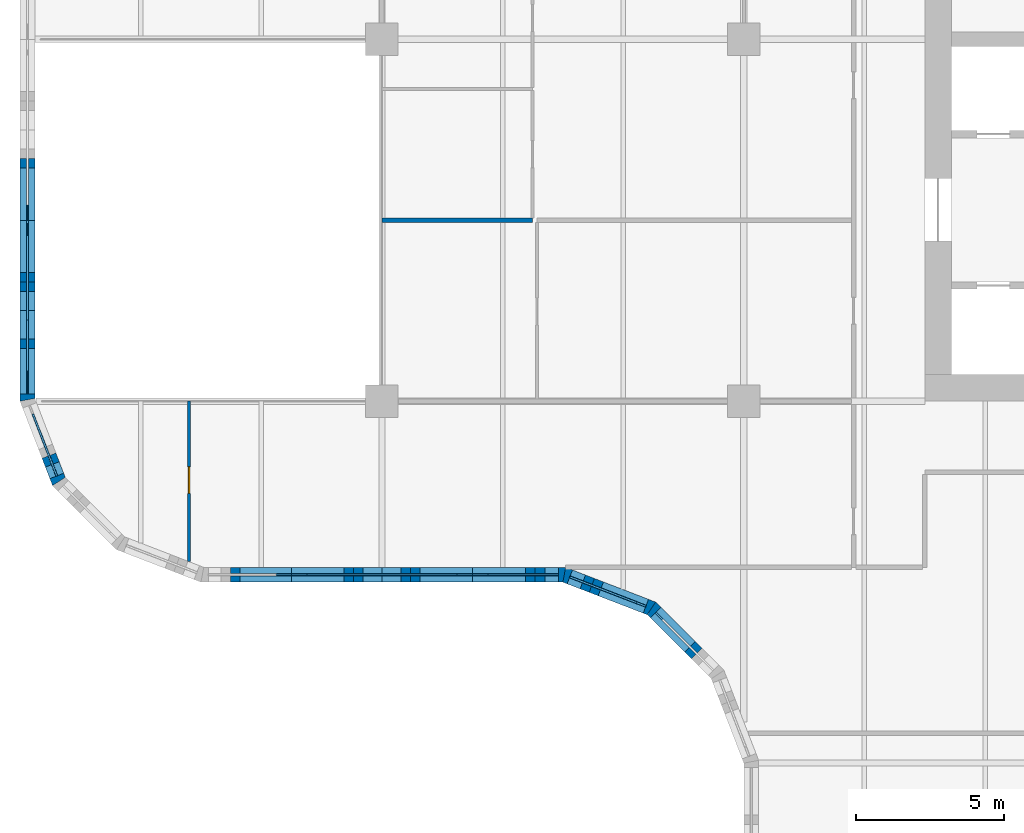
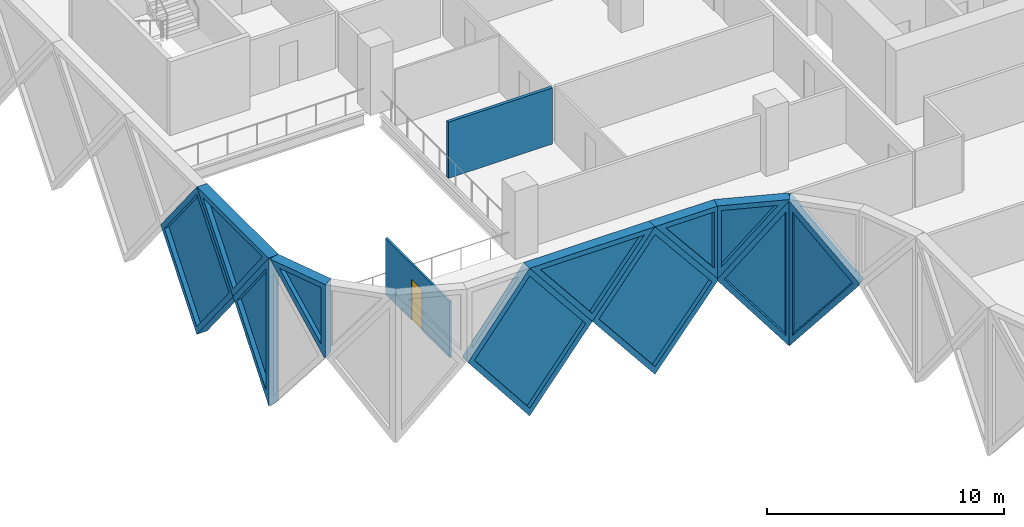
# One storey, part 5 of 24: 13 walls, 11 plates, 1 door, 12 openings.
"""IFC4 building model written with IfcOpenShell, lengths in metres."""

from ifc_helpers import new_model, si_unit, direction, frame, frame_2d, origin, place, context, subcontext, project, spatial, polyline, rectangle, outline, extrude, faceted_brep, source, transform, mapped, material, layer, layer_set, type_object, element, fill, save


model = new_model("IFC4")

# Units and contexts
model_context = context("Model", 3, precision=1e-05, world=origin(), true_north=direction((0.0, 1.0)))
body_context = subcontext(model_context, "Body", "Model", "MODEL_VIEW")
ifc_project = project(units=[si_unit("LENGTHUNIT", "METRE"), si_unit("AREAUNIT", "SQUARE_METRE"), si_unit("VOLUMEUNIT", "CUBIC_METRE"), si_unit("PLANEANGLEUNIT", "RADIAN"), si_unit("MASSUNIT", "GRAM", prefix="KILO")], contexts=[model_context])

# Site, building, storey
site_placement = place(None, origin())
site = spatial("IfcSite", under=ifc_project, at=site_placement, CompositionType="ELEMENT")
building_placement = place(site_placement, origin())
building = spatial("IfcBuilding", under=site, at=building_placement, Name="Tessera Gate Towers", CompositionType="ELEMENT")
storey_placement = place(building_placement, frame((0.0, 0.0, 60.0)))
storey = spatial("IfcBuildingStorey", under=building, at=storey_placement, Name="L14", CompositionType="ELEMENT", Elevation=60.0)

# Wall, opening, door
ifc_material_1 = material(Name="Glass", Category="glass")
ifc_layer_1 = layer(ifc_material_1, 0.10009765625)
ifc_layer_set_1 = layer_set([ifc_layer_1], Name="GLAZED PARTITION 100")
wall_type_1 = type_object("IfcWallType", Name="GLAZED PARTITION 100", PredefinedType="PARTITIONING", material=ifc_layer_set_1)
wall_1_placement = place(storey_placement, frame((5.699951171875, 18.990234375, 0.0), z_axis=(0.0, 0.0, 1.0), x_axis=(0.0, 1.0, 0.0)))
wall_1 = element("IfcWall", 1, at=wall_1_placement, inside=storey, type_object=wall_type_1, Name="T1-L14-PW-016", PredefinedType="PARTITIONING", context=body_context, shape_type="SweptSolid", body=[
    extrude(rectangle(XDim=5.40966796875, YDim=0.10009765625, at=frame_2d((2.704833984375, 0.0))), origin(), (0.0, 0.0, 1.0), 2.887939453125),
])
shared_shape_1 = source(origin(), body_context, "Body", "SweptSolid", [
    extrude(rectangle(XDim=0.89990234375, YDim=2.10009765625, at=frame_2d((0.449951171875, 1.050048828125))), frame((0.0, 0.06005859375, 0.0), z_axis=(0.0, -1.0, 0.0), x_axis=(1.0, 0.0, 0.0)), (0.0, 0.0, 1.0), 0.1201171875),
])
opening_1_placement = place(wall_1_placement, frame((2.300048828125, 0.0, 0.0)))
opening_1 = element("IfcOpeningElement", 2, at=opening_1_placement, cuts=wall_1, Name="Opening D690-A05-01", PredefinedType="OPENING", context=body_context, shape_type="MappedRepresentation", body=[
    mapped(shared_shape_1, transform((0.0, 0.0, 0.0), scale=1.0)),
])
ifc_material_2 = material(Name="Glass in aluminium frame", Category="aluminium")
door_type = type_object("IfcDoorType", Name="GLAZED DOOR 900 NOT RATED", OperationType="NOTDEFINED", PredefinedType="DOOR", material=ifc_material_2)
shared_shape_2 = source(origin(), body_context, "Body", "SweptSolid", [
    extrude(rectangle(XDim=0.89990234375, YDim=2.10009765625, at=frame_2d((0.449951171875, 1.050048828125))), frame((0.0, 0.02490234375, 0.0), z_axis=(0.0, -1.0, 0.0), x_axis=(1.0, 0.0, 0.0)), (0.0, 0.0, 1.0), 0.050048828125),
])
door_placement = place(opening_1_placement, origin())
door = element("IfcDoor", 3, at=door_placement, inside=storey, type_object=door_type, Name="T1-L14-PD-008", OperationType="SINGLE_SWING_LEFT", OverallHeight=2.10009765625, OverallWidth=0.89990234375, PredefinedType="DOOR", context=body_context, shape_type="MappedRepresentation", body=[
    mapped(shared_shape_2, transform((0.0, 0.0, 0.0), scale=1.0)),
])
fill(opening_1, door)

# Wall
ifc_material_3 = material(Name="Gypsum board on steel studs, mineral wool", Category="steel")
ifc_layer_2 = layer(ifc_material_3, 0.14990234375)
ifc_layer_set_2 = layer_set([ifc_layer_2], Name="TENANCY WALL 150")
wall_type_2 = type_object("IfcWallType", Name="TENANCY WALL 150", PredefinedType="PARTITIONING", material=ifc_layer_set_2)
wall_2_placement = place(storey_placement, frame((12.199951171875, 30.5, 0.0), z_axis=(0.0, 0.0, 1.0), x_axis=(1.0, 0.0, 0.0)))
element("IfcWall", 4, at=wall_2_placement, inside=storey, type_object=wall_type_2, Name="T1-L14-PW-024", PredefinedType="PARTITIONING", context=body_context, shape_type="SweptSolid", body=[
    extrude(rectangle(XDim=5.074951171875, YDim=0.14990234375, at=frame_2d((2.53759765625, 0.0))), origin(), (0.0, 0.0, 1.0), 2.887939453125),
])

# Wall, opening, plate
ifc_material_4 = material(Name="Precast concrete C60/75 white", Category="concrete")
ifc_layer_3 = layer(ifc_material_4, 0.5)
ifc_layer_set_3 = layer_set([ifc_layer_3], Name="TS1 tessera")
wall_type_3 = type_object("IfcWallType", Name="TS1 tessera", PredefinedType="SOLIDWALL", material=ifc_layer_set_3)
shared_shape_3 = source(origin(), body_context, "Body", "Brep", [
    faceted_brep([(3.00341796875, -0.25, 0.0), (6.053466796875, -0.25, 3.800048828125), (3.00341796875, -0.25, 7.60009765625), (0.0, -0.25, 3.800048828125), (0.046630859375, 0.25, 3.85888671875), (3.00341796875, 0.25, 7.60009765625), (6.053466796875, 0.25, 3.800048828125), (3.00341796875, 0.25, 0.0), (0.046630859375, 0.25, 3.7412109375), (0.0, 0.0, 3.800048828125)], [[[0, 1, 2, 3]], [[4, 5, 6, 7, 8]], [[7, 6, 1, 0]], [[6, 5, 2, 1]], [[5, 4, 9, 3, 2]], [[8, 7, 0, 3, 9]], [[8, 9, 4]]]),
])
wall_3_placement = place(storey_placement, frame((6.146484375, 18.550048828125, -3.800048828125), z_axis=(0.0, 0.0, 1.0), x_axis=(1.0, 0.0, 0.0)))
wall_3 = element("IfcWall", 5, at=wall_3_placement, inside=storey, type_object=wall_type_3, Name="Precast tessera T1 TS1-0228", PredefinedType="SOLIDWALL", context=body_context, shape_type="MappedRepresentation", body=[
    mapped(shared_shape_3, transform((0.0, 0.0, 0.0), scale=1.0)),
])
shared_shape_4 = source(origin(), body_context, "Body", "SweptSolid", [
    extrude(outline(polyline([(3.0048828125, 0.4013671875), (5.73291015625, 3.800048828125), (3.0048828125, 7.19873046875), (0.318603515625, 3.800048828125), (3.0048828125, 0.4013671875)])), frame((0.0, 0.260009765625, 0.0), z_axis=(0.0, -1.0, 0.0), x_axis=(1.0, 0.0, 0.0)), (0.0, 0.0, 1.0), 0.52001953125),
])
opening_2_placement = place(wall_3_placement, origin())
opening_2 = element("IfcOpeningElement", 6, at=opening_2_placement, cuts=wall_3, Name="Opening T1-PL2-0460", PredefinedType="OPENING", context=body_context, shape_type="MappedRepresentation", body=[
    mapped(shared_shape_4, transform((0.0, 0.0, 0.0), scale=1.0)),
])
ifc_material_5 = material(Name="Low-e laminated glass", Category="glass")
ifc_layer_4 = layer(ifc_material_5, 0.06005859375)
ifc_layer_set_4 = layer_set([ifc_layer_4], Name="PL2 rhombic pane")
plate_type_1 = type_object("IfcPlateType", Name="PL2 rhombic pane", PredefinedType="SHEET", material=ifc_layer_set_4)
shared_shape_5 = source(origin(), body_context, "Body", "SweptSolid", [
    extrude(outline(polyline([(3.0048828125, 0.4013671875), (5.73291015625, 3.800048828125), (3.0048828125, 7.19873046875), (0.318603515625, 3.800048828125), (3.0048828125, 0.4013671875)])), frame((0.0, 0.030029296875, 0.0), z_axis=(0.0, -1.0, 0.0), x_axis=(1.0, 0.0, 0.0)), (0.0, 0.0, 1.0), 0.06005859375),
])
plate_1_placement = place(opening_2_placement, origin())
plate_1 = element("IfcPlate", 7, at=plate_1_placement, inside=storey, type_object=plate_type_1, Name="Glass pane T1 PL2-0460", PredefinedType="SHEET", context=body_context, shape_type="MappedRepresentation", body=[
    mapped(shared_shape_5, transform((0.0, 0.0, 0.0), scale=1.0)),
])
fill(opening_2, plate_1)

shared_shape_6 = source(origin(), body_context, "Body", "SweptSolid", [
    extrude(outline(polyline([(3.050048828125, 0.0), (6.10009765625, 3.800048828125), (3.050048828125, 7.60009765625), (0.0, 3.800048828125), (3.050048828125, 0.0)])), frame((0.0, 0.25, 0.0), z_axis=(0.0, -1.0, 0.0), x_axis=(1.0, 0.0, 0.0)), (0.0, 0.0, 1.0), 0.5),
])
wall_4_placement = place(storey_placement, frame((0.25, 33.550048828125, -3.800048828125), z_axis=(0.0, 0.0, 1.0), x_axis=(0.0, -1.0, 0.0)))
wall_4 = element("IfcWall", 8, at=wall_4_placement, inside=storey, type_object=wall_type_3, Name="Precast tessera T1 TS1-0227", PredefinedType="SOLIDWALL", context=body_context, shape_type="MappedRepresentation", body=[
    mapped(shared_shape_6, transform((0.0, 0.0, 0.0), scale=1.0)),
])
shared_shape_7 = source(origin(), body_context, "Body", "SweptSolid", [
    extrude(outline(polyline([(3.050048828125, 0.3994140625), (5.779541015625, 3.800048828125), (3.050048828125, 7.20068359375), (0.320556640625, 3.800048828125), (3.050048828125, 0.3994140625)])), frame((0.0, 0.260009765625, 0.0), z_axis=(0.0, -1.0, 0.0), x_axis=(1.0, 0.0, 0.0)), (0.0, 0.0, 1.0), 0.52001953125),
])
opening_3_placement = place(wall_4_placement, origin())
opening_3 = element("IfcOpeningElement", 9, at=opening_3_placement, cuts=wall_4, Name="Opening T1-PL2-0455", PredefinedType="OPENING", context=body_context, shape_type="MappedRepresentation", body=[
    mapped(shared_shape_7, transform((0.0, 0.0, 0.0), scale=1.0)),
])
shared_shape_8 = source(origin(), body_context, "Body", "SweptSolid", [
    extrude(outline(polyline([(3.050048828125, 0.3994140625), (5.779541015625, 3.800048828125), (3.050048828125, 7.20068359375), (0.320556640625, 3.800048828125), (3.050048828125, 0.3994140625)])), frame((0.0, 0.030029296875, 0.0), z_axis=(0.0, -1.0, 0.0), x_axis=(1.0, 0.0, 0.0)), (0.0, 0.0, 1.0), 0.06005859375),
])
plate_2_placement = place(opening_3_placement, origin())
plate_2 = element("IfcPlate", 10, at=plate_2_placement, inside=storey, type_object=plate_type_1, Name="Glass pane T1 PL2-0455", PredefinedType="SHEET", context=body_context, shape_type="MappedRepresentation", body=[
    mapped(shared_shape_8, transform((0.0, 0.0, 0.0), scale=1.0)),
])
fill(opening_3, plate_2)

ifc_material_6 = material(Name="Precast concrete C60/75 white", Category="concrete")
ifc_layer_5 = layer(ifc_material_6, 0.5)
ifc_layer_set_5 = layer_set([ifc_layer_5], Name="TS3 corner tessera")
wall_type_4 = type_object("IfcWallType", Name="TS3 corner tessera", PredefinedType="SOLIDWALL", material=ifc_layer_set_5)
shared_shape_9 = source(origin(), body_context, "Body", "Brep", [
    faceted_brep([(3.00341796875, -0.25, 0.0), (3.050048828125, -0.25, 0.06005859375), (3.050048828125, -0.25, 7.5400390625), (3.00341796875, -0.25, 7.60009765625), (0.0, -0.25, 3.800048828125), (0.0, 0.25, 3.800048828125), (2.956787109375, 0.25, 7.541259765625), (2.956787109375, 0.25, 0.058837890625), (3.00341796875, 0.000244140625, 0.0), (3.00341796875, 0.000244140625, 7.60009765625)], [[[0, 1, 2, 3, 4]], [[5, 6, 7]], [[1, 0, 8]], [[9, 3, 2]], [[6, 5, 4, 3, 9]], [[5, 7, 8, 0, 4]], [[1, 8, 7, 6, 9, 2]]]),
])
wall_5_placement = place(storey_placement, frame((0.25, 27.449951171875, -3.800048828125), z_axis=(0.0, 0.0, 1.0), x_axis=(0.0, -1.0, 0.0)))
wall_5 = element("IfcWall", 11, at=wall_5_placement, inside=storey, type_object=wall_type_4, Name="Precast corner tessera T1 TS3-0301", PredefinedType="SOLIDWALL", context=body_context, shape_type="MappedRepresentation", body=[
    mapped(shared_shape_9, transform((0.0, 0.0, 0.0), scale=1.0)),
])
shared_shape_10 = source(origin(), body_context, "Body", "SweptSolid", [
    extrude(outline(polyline([(2.803466796875, 6.94384765625), (0.318603515625, 3.800048828125), (2.803466796875, 0.65625), (2.803466796875, 6.94384765625)])), frame((0.0, 0.260009765625, 0.0), z_axis=(0.0, -1.0, 0.0), x_axis=(1.0, 0.0, 0.0)), (0.0, 0.0, 1.0), 0.52001953125),
])
opening_4_placement = place(wall_5_placement, origin())
opening_4 = element("IfcOpeningElement", 12, at=opening_4_placement, cuts=wall_5, Name="Opening T1-PL2-0456", PredefinedType="OPENING", context=body_context, shape_type="MappedRepresentation", body=[
    mapped(shared_shape_10, transform((0.0, 0.0, 0.0), scale=1.0)),
])
shared_shape_11 = source(origin(), body_context, "Body", "SweptSolid", [
    extrude(outline(polyline([(2.803466796875, 6.94384765625), (0.318603515625, 3.800048828125), (2.803466796875, 0.65625), (2.803466796875, 6.94384765625)])), frame((0.0, 0.030029296875, 0.0), z_axis=(0.0, -1.0, 0.0), x_axis=(1.0, 0.0, 0.0)), (0.0, 0.0, 1.0), 0.06005859375),
])
plate_3_placement = place(opening_4_placement, origin())
plate_3 = element("IfcPlate", 13, at=plate_3_placement, inside=storey, type_object=plate_type_1, Name="Glass pane T1 PL2-0456", PredefinedType="SHEET", context=body_context, shape_type="MappedRepresentation", body=[
    mapped(shared_shape_11, transform((0.0, 0.0, 0.0), scale=1.0)),
])
fill(opening_4, plate_3)

shared_shape_12 = source(origin(), body_context, "Body", "Brep", [
    faceted_brep([(3.050048828125, -0.25, 0.0), (6.10009765625, -0.25, 3.742919921875), (6.10009765625, -0.25, 3.857177734375), (3.050048828125, -0.25, 7.60009765625), (0.0, -0.25, 3.800048828125), (0.0, 0.25, 3.800048828125), (3.050048828125, 0.25, 7.60009765625), (6.146484375, 0.25, 3.800048828125), (3.050048828125, 0.25, 0.0), (6.146484375, -0.000244140625, 3.800048828125)], [[[0, 1, 2, 3, 4]], [[5, 6, 7, 8]], [[8, 7, 9, 1, 0]], [[7, 6, 3, 2, 9]], [[6, 5, 4, 3]], [[5, 8, 0, 4]], [[1, 9, 2]]]),
])
wall_6_placement = place(storey_placement, frame((12.199951171875, 18.550048828125, -3.800048828125), z_axis=(0.0, 0.0, 1.0), x_axis=(1.0, 0.0, 0.0)))
wall_6 = element("IfcWall", 14, at=wall_6_placement, inside=storey, type_object=wall_type_3, Name="Precast tessera T1 TS1-0229", PredefinedType="SOLIDWALL", context=body_context, shape_type="MappedRepresentation", body=[
    mapped(shared_shape_12, transform((0.0, 0.0, 0.0), scale=1.0)),
])
shared_shape_13 = source(origin(), body_context, "Body", "SweptSolid", [
    extrude(outline(polyline([(3.051513671875, 0.397705078125), (5.823974609375, 3.800048828125), (3.051513671875, 7.202392578125), (0.320556640625, 3.800048828125), (3.051513671875, 0.397705078125)])), frame((0.0, 0.260009765625, 0.0), z_axis=(0.0, -1.0, 0.0), x_axis=(1.0, 0.0, 0.0)), (0.0, 0.0, 1.0), 0.52001953125),
])
opening_5_placement = place(wall_6_placement, origin())
opening_5 = element("IfcOpeningElement", 15, at=opening_5_placement, cuts=wall_6, Name="Opening T1-PL2-0461", PredefinedType="OPENING", context=body_context, shape_type="MappedRepresentation", body=[
    mapped(shared_shape_13, transform((0.0, 0.0, 0.0), scale=1.0)),
])
shared_shape_14 = source(origin(), body_context, "Body", "SweptSolid", [
    extrude(outline(polyline([(3.051513671875, 0.397705078125), (5.823974609375, 3.800048828125), (3.051513671875, 7.202392578125), (0.320556640625, 3.800048828125), (3.051513671875, 0.397705078125)])), frame((0.0, 0.030029296875, 0.0), z_axis=(0.0, -1.0, 0.0), x_axis=(1.0, 0.0, 0.0)), (0.0, 0.0, 1.0), 0.06005859375),
])
plate_4_placement = place(opening_5_placement, origin())
plate_4 = element("IfcPlate", 16, at=plate_4_placement, inside=storey, type_object=plate_type_1, Name="Glass pane T1 PL2-0461", PredefinedType="SHEET", context=body_context, shape_type="MappedRepresentation", body=[
    mapped(shared_shape_14, transform((0.0, 0.0, 0.0), scale=1.0)),
])
fill(opening_5, plate_4)

shared_shape_15 = source(origin(), body_context, "Body", "Brep", [
    faceted_brep([(3.096435546875, -0.25, 7.536376953125), (0.046630859375, -0.25, 3.856201171875), (0.046630859375, -0.25, 3.743896484375), (3.096435546875, -0.25, 0.063720703125), (0.0, 0.25, 3.800048828125), (3.1494140625, 0.25, 7.60009765625), (3.202392578125, 0.25, 7.536376953125), (3.202392578125, 0.25, 0.063720703125), (3.1494140625, 0.25, 0.0), (3.1494140625, -0.000244140625, 0.0), (3.1494140625, -0.000244140625, 7.60009765625), (0.0, 0.0, 3.800048828125)], [[[0, 1, 2, 3]], [[4, 5, 6, 7, 8]], [[8, 7, 9]], [[6, 5, 10]], [[5, 4, 11, 1, 0, 10]], [[4, 8, 9, 3, 2, 11]], [[11, 2, 1]], [[3, 9, 7, 6, 10, 0]]]),
])
wall_7_placement = place(storey_placement, frame((18.346435546875, 18.550048828125, -3.800048828125), z_axis=(0.0, 0.0, 1.0), x_axis=(0.932985567668, -0.359913782069, 0.0)))
wall_7 = element("IfcWall", 17, at=wall_7_placement, inside=storey, type_object=wall_type_4, Name="Precast corner tessera T1 TS3-0305", PredefinedType="SOLIDWALL", context=body_context, shape_type="MappedRepresentation", body=[
    mapped(shared_shape_15, transform((0.0, 0.0, 0.0), scale=1.0)),
])
shared_shape_16 = source(origin(), body_context, "Body", "SweptSolid", [
    extrude(outline(polyline([(2.949462890625, 6.967041015625), (0.32470703125, 3.800048828125), (2.949462890625, 0.633056640625), (2.949462890625, 6.967041015625)])), frame((0.0, 0.260009765625, 0.0), z_axis=(0.0, -1.0, 0.0), x_axis=(1.0, 0.0, 0.0)), (0.0, 0.0, 1.0), 0.52001953125),
])
opening_6_placement = place(wall_7_placement, origin())
opening_6 = element("IfcOpeningElement", 18, at=opening_6_placement, cuts=wall_7, Name="Opening T1-PL2-0462", PredefinedType="OPENING", context=body_context, shape_type="MappedRepresentation", body=[
    mapped(shared_shape_16, transform((0.0, 0.0, 0.0), scale=1.0)),
])
shared_shape_17 = source(origin(), body_context, "Body", "SweptSolid", [
    extrude(outline(polyline([(2.949462890625, 6.967041015625), (0.32470703125, 3.800048828125), (2.949462890625, 0.633056640625), (2.949462890625, 6.967041015625)])), frame((0.0, 0.030029296875, 0.0), z_axis=(0.0, -1.0, 0.0), x_axis=(1.0, 0.0, 0.0)), (0.0, 0.0, 1.0), 0.06005859375),
])
plate_5_placement = place(opening_6_placement, origin())
plate_5 = element("IfcPlate", 19, at=plate_5_placement, inside=storey, type_object=plate_type_1, Name="Glass pane T1 PL2-0462", PredefinedType="SHEET", context=body_context, shape_type="MappedRepresentation", body=[
    mapped(shared_shape_17, transform((0.0, 0.0, 0.0), scale=1.0)),
])
fill(opening_6, plate_5)

shared_shape_18 = source(origin(), body_context, "Body", "Brep", [
    faceted_brep([(0.10595703125, -0.25, 0.063720703125), (3.156005859375, -0.25, 3.736328125), (3.156005859375, -0.25, 3.86376953125), (0.10595703125, -0.25, 7.536376953125), (0.0, 0.25, 7.5361328125), (0.052978515625, 0.25, 7.60009765625), (3.208740234375, 0.25, 3.800048828125), (0.052978515625, 0.25, 0.0), (0.0, 0.25, 0.06396484375), (3.208740234375, -0.00048828125, 3.800048828125), (0.052978515625, 0.0, 0.0), (0.052978515625, 0.0, 7.60009765625)], [[[0, 1, 2, 3]], [[4, 5, 6, 7, 8]], [[7, 6, 9, 1, 0, 10]], [[6, 5, 11, 3, 2, 9]], [[5, 4, 11]], [[8, 7, 10]], [[8, 10, 0, 3, 11, 4]], [[1, 9, 2]]]),
])
wall_8_placement = place(storey_placement, frame((21.24755859375, 17.453857421875, -3.800048828125), z_axis=(0.0, 0.0, 1.0), x_axis=(0.707106781187, -0.707106781187, 0.0)))
wall_8 = element("IfcWall", 20, at=wall_8_placement, inside=storey, type_object=wall_type_4, Name="Precast corner tessera T1 TS3-0306", PredefinedType="SOLIDWALL", context=body_context, shape_type="MappedRepresentation", body=[
    mapped(shared_shape_18, transform((0.0, 0.0, 0.0), scale=1.0)),
])
shared_shape_19 = source(origin(), body_context, "Body", "SweptSolid", [
    extrude(outline(polyline([(0.2529296875, 0.632080078125), (2.8837890625, 3.800048828125), (0.2529296875, 6.968017578125), (0.2529296875, 0.632080078125)])), frame((0.0, 0.260009765625, 0.0), z_axis=(0.0, -1.0, 0.0), x_axis=(1.0, 0.0, 0.0)), (0.0, 0.0, 1.0), 0.52001953125),
])
opening_7_placement = place(wall_8_placement, origin())
opening_7 = element("IfcOpeningElement", 21, at=opening_7_placement, cuts=wall_8, Name="Opening T1-PL2-0463", PredefinedType="OPENING", context=body_context, shape_type="MappedRepresentation", body=[
    mapped(shared_shape_19, transform((0.0, 0.0, 0.0), scale=1.0)),
])
shared_shape_20 = source(origin(), body_context, "Body", "SweptSolid", [
    extrude(outline(polyline([(0.2529296875, 0.632080078125), (2.8837890625, 3.800048828125), (0.2529296875, 6.968017578125), (0.2529296875, 0.632080078125)])), frame((0.0, 0.030029296875, 0.0), z_axis=(0.0, -1.0, 0.0), x_axis=(1.0, 0.0, 0.0)), (0.0, 0.0, 1.0), 0.06005859375),
])
plate_6_placement = place(opening_7_placement, origin())
plate_6 = element("IfcPlate", 22, at=plate_6_placement, inside=storey, type_object=plate_type_1, Name="Glass pane T1 PL2-0463", PredefinedType="SHEET", context=body_context, shape_type="MappedRepresentation", body=[
    mapped(shared_shape_20, transform((0.0, 0.0, 0.0), scale=1.0)),
])
fill(opening_7, plate_6)

ifc_material_7 = material(Name="Precast concrete C60/75 white", Category="concrete")
ifc_layer_6 = layer(ifc_material_7, 0.5)
ifc_layer_set_6 = layer_set([ifc_layer_6], Name="TS2 half tessera")
wall_type_5 = type_object("IfcWallType", Name="TS2 half tessera", PredefinedType="SOLIDWALL", material=ifc_layer_set_6)
shared_shape_21 = source(origin(), body_context, "Body", "SweptSolid", [
    extrude(outline(polyline([(3.050048828125, 0.0), (6.10009765625, 3.800048828125), (0.0, 3.800048828125), (3.050048828125, 0.0)])), frame((0.0, 0.25, 0.0), z_axis=(0.0, -1.0, 0.0), x_axis=(1.0, 0.0, 0.0)), (0.0, 0.0, 1.0), 0.5),
])
wall_9_placement = place(storey_placement, frame((9.14990234375, 18.550048828125, 0.0), z_axis=(0.0, 0.0, 1.0), x_axis=(1.0, 0.0, 0.0)))
wall_9 = element("IfcWall", 23, at=wall_9_placement, inside=storey, type_object=wall_type_5, Name="Precast half tessera T1 TS2-0090", PredefinedType="SOLIDWALL", context=body_context, shape_type="MappedRepresentation", body=[
    mapped(shared_shape_21, transform((0.0, 0.0, 0.0), scale=1.0)),
])
shared_shape_22 = source(origin(), body_context, "Body", "SweptSolid", [
    extrude(outline(polyline([(3.050048828125, 0.3994140625), (5.578857421875, 3.550048828125), (0.521240234375, 3.550048828125), (3.050048828125, 0.3994140625)])), frame((0.0, 0.260009765625, 0.0), z_axis=(0.0, -1.0, 0.0), x_axis=(1.0, 0.0, 0.0)), (0.0, 0.0, 1.0), 0.52001953125),
])
opening_8_placement = place(wall_9_placement, origin())
opening_8 = element("IfcOpeningElement", 24, at=opening_8_placement, cuts=wall_9, Name="Opening T1-PL1-0180", PredefinedType="OPENING", context=body_context, shape_type="MappedRepresentation", body=[
    mapped(shared_shape_22, transform((0.0, 0.0, 0.0), scale=1.0)),
])
ifc_material_8 = material(Name="Low-e laminated glass", Category="glass")
ifc_layer_7 = layer(ifc_material_8, 0.06005859375)
ifc_layer_set_7 = layer_set([ifc_layer_7], Name="PL1 triangular pane")
plate_type_2 = type_object("IfcPlateType", Name="PL1 triangular pane", PredefinedType="SHEET", material=ifc_layer_set_7)
shared_shape_23 = source(origin(), body_context, "Body", "SweptSolid", [
    extrude(outline(polyline([(3.050048828125, 0.3994140625), (5.578857421875, 3.550048828125), (0.521240234375, 3.550048828125), (3.050048828125, 0.3994140625)])), frame((0.0, 0.030029296875, 0.0), z_axis=(0.0, -1.0, 0.0), x_axis=(1.0, 0.0, 0.0)), (0.0, 0.0, 1.0), 0.06005859375),
])
plate_7_placement = place(opening_8_placement, origin())
plate_7 = element("IfcPlate", 25, at=plate_7_placement, inside=storey, type_object=plate_type_2, Name="Glass pane T1 PL1-0180", PredefinedType="SHEET", context=body_context, shape_type="MappedRepresentation", body=[
    mapped(shared_shape_23, transform((0.0, 0.0, 0.0), scale=1.0)),
])
fill(opening_8, plate_7)

shared_shape_24 = source(origin(), body_context, "Body", "Brep", [
    faceted_brep([(3.050048828125, -0.25, 0.0), (6.053466796875, -0.25, 3.800048828125), (0.0, -0.25, 3.800048828125), (0.0, 0.25, 3.800048828125), (6.0068359375, 0.25, 3.800048828125), (6.0068359375, 0.25, 3.7412109375), (3.050048828125, 0.25, 0.0), (6.053466796875, 0.0, 3.800048828125)], [[[0, 1, 2]], [[3, 4, 5, 6]], [[6, 5, 7, 1, 0]], [[4, 3, 2, 1, 7]], [[3, 6, 0, 2]], [[5, 4, 7]]]),
])
wall_10_placement = place(storey_placement, frame((0.25, 30.5, 0.0), z_axis=(0.0, 0.0, 1.0), x_axis=(0.0, -1.0, 0.0)))
wall_10 = element("IfcWall", 26, at=wall_10_placement, inside=storey, type_object=wall_type_5, Name="Precast half tessera T1 TS2-0089", PredefinedType="SOLIDWALL", context=body_context, shape_type="MappedRepresentation", body=[
    mapped(shared_shape_24, transform((0.0, 0.0, 0.0), scale=1.0)),
])
shared_shape_25 = source(origin(), body_context, "Body", "SweptSolid", [
    extrude(outline(polyline([(3.048583984375, 0.4013671875), (5.537109375, 3.550048828125), (0.521240234375, 3.550048828125), (3.048583984375, 0.4013671875)])), frame((0.0, 0.260009765625, 0.0), z_axis=(0.0, -1.0, 0.0), x_axis=(1.0, 0.0, 0.0)), (0.0, 0.0, 1.0), 0.52001953125),
])
opening_9_placement = place(wall_10_placement, origin())
opening_9 = element("IfcOpeningElement", 27, at=opening_9_placement, cuts=wall_10, Name="Opening T1-PL1-0175", PredefinedType="OPENING", context=body_context, shape_type="MappedRepresentation", body=[
    mapped(shared_shape_25, transform((0.0, 0.0, 0.0), scale=1.0)),
])
shared_shape_26 = source(origin(), body_context, "Body", "SweptSolid", [
    extrude(outline(polyline([(3.048583984375, 0.4013671875), (5.537109375, 3.550048828125), (0.521240234375, 3.550048828125), (3.048583984375, 0.4013671875)])), frame((0.0, 0.030029296875, 0.0), z_axis=(0.0, -1.0, 0.0), x_axis=(1.0, 0.0, 0.0)), (0.0, 0.0, 1.0), 0.06005859375),
])
plate_8_placement = place(opening_9_placement, origin())
plate_8 = element("IfcPlate", 28, at=plate_8_placement, inside=storey, type_object=plate_type_2, Name="Glass pane T1 PL1-0175", PredefinedType="SHEET", context=body_context, shape_type="MappedRepresentation", body=[
    mapped(shared_shape_26, transform((0.0, 0.0, 0.0), scale=1.0)),
])
fill(opening_9, plate_8)

shared_shape_27 = source(origin(), body_context, "Body", "Brep", [
    faceted_brep([(2.950439453125, -0.25, 0.0), (3.00341796875, -0.25, 0.068359375), (3.00341796875, -0.25, 3.800048828125), (0.0, -0.25, 3.800048828125), (0.046630859375, 0.25, 3.800048828125), (2.897705078125, 0.25, 3.800048828125), (2.897705078125, 0.25, 0.068115234375), (0.046630859375, 0.25, 3.739990234375), (2.950439453125, 0.00048828125, 0.0), (0.0, 0.0, 3.800048828125)], [[[0, 1, 2, 3]], [[4, 5, 6, 7]], [[1, 0, 8]], [[5, 4, 9, 3, 2]], [[7, 6, 8, 0, 3, 9]], [[7, 9, 4]], [[1, 8, 6, 5, 2]]]),
])
wall_11_placement = place(storey_placement, frame((0.25, 24.446533203125, 0.0), z_axis=(0.0, 0.0, 1.0), x_axis=(0.35992665181, -0.932980602862, 0.0)))
wall_11 = element("IfcWall", 29, at=wall_11_placement, inside=storey, type_object=wall_type_4, Name="Precast corner tessera T1 TS3-0327", PredefinedType="SOLIDWALL", context=body_context, shape_type="MappedRepresentation", body=[
    mapped(shared_shape_27, transform((0.0, 0.0, 0.0), scale=1.0)),
])
shared_shape_28 = source(origin(), body_context, "Body", "SweptSolid", [
    extrude(outline(polyline([(2.75048828125, 3.550048828125), (0.5107421875, 3.550048828125), (2.75048828125, 0.665283203125), (2.75048828125, 3.550048828125)])), frame((0.0, 0.260009765625, 0.0), z_axis=(0.0, -1.0, 0.0), x_axis=(1.0, 0.0, 0.0)), (0.0, 0.0, 1.0), 0.52001953125),
])
opening_10_placement = place(wall_11_placement, origin())
opening_10 = element("IfcOpeningElement", 30, at=opening_10_placement, cuts=wall_11, Name="Opening T1-PL1-0176", PredefinedType="OPENING", context=body_context, shape_type="MappedRepresentation", body=[
    mapped(shared_shape_28, transform((0.0, 0.0, 0.0), scale=1.0)),
])
shared_shape_29 = source(origin(), body_context, "Body", "SweptSolid", [
    extrude(outline(polyline([(2.75048828125, 3.550048828125), (0.5107421875, 3.550048828125), (2.75048828125, 0.665283203125), (2.75048828125, 3.550048828125)])), frame((0.0, 0.030029296875, 0.0), z_axis=(0.0, -1.0, 0.0), x_axis=(1.0, 0.0, 0.0)), (0.0, 0.0, 1.0), 0.06005859375),
])
plate_9_placement = place(opening_10_placement, origin())
plate_9 = element("IfcPlate", 31, at=plate_9_placement, inside=storey, type_object=plate_type_2, Name="Glass pane T1 PL1-0176", PredefinedType="SHEET", context=body_context, shape_type="MappedRepresentation", body=[
    mapped(shared_shape_29, transform((0.0, 0.0, 0.0), scale=1.0)),
])
fill(opening_10, plate_9)

shared_shape_30 = source(origin(), body_context, "Body", "Brep", [
    faceted_brep([(3.050048828125, -0.25, 3.800048828125), (0.0, -0.25, 3.800048828125), (3.050048828125, -0.25, 0.056884765625), (0.0, 0.25, 3.800048828125), (3.14306640625, 0.25, 3.800048828125), (3.14306640625, 0.25, 0.056396484375), (3.096435546875, 0.25, 0.0), (3.096435546875, -0.00048828125, 0.0)], [[[0, 1, 2]], [[3, 4, 5, 6]], [[6, 5, 7]], [[4, 3, 1, 0]], [[3, 6, 7, 2, 1]], [[2, 7, 5, 4, 0]]]),
])
wall_12_placement = place(storey_placement, frame((15.25, 18.550048828125, 0.0), z_axis=(0.0, 0.0, 1.0), x_axis=(1.0, 0.0, 0.0)))
wall_12 = element("IfcWall", 32, at=wall_12_placement, inside=storey, type_object=wall_type_4, Name="Precast corner tessera T1 TS3-0331", PredefinedType="SOLIDWALL", context=body_context, shape_type="MappedRepresentation", body=[
    mapped(shared_shape_30, transform((0.0, 0.0, 0.0), scale=1.0)),
])
shared_shape_31 = source(origin(), body_context, "Body", "SweptSolid", [
    extrude(outline(polyline([(2.896484375, 3.550048828125), (0.526123046875, 3.550048828125), (2.896484375, 0.64111328125), (2.896484375, 3.550048828125)])), frame((0.0, 0.260009765625, 0.0), z_axis=(0.0, -1.0, 0.0), x_axis=(1.0, 0.0, 0.0)), (0.0, 0.0, 1.0), 0.52001953125),
])
opening_11_placement = place(wall_12_placement, origin())
opening_11 = element("IfcOpeningElement", 33, at=opening_11_placement, cuts=wall_12, Name="Opening T1-PL1-0181", PredefinedType="OPENING", context=body_context, shape_type="MappedRepresentation", body=[
    mapped(shared_shape_31, transform((0.0, 0.0, 0.0), scale=1.0)),
])
shared_shape_32 = source(origin(), body_context, "Body", "SweptSolid", [
    extrude(outline(polyline([(2.896484375, 3.550048828125), (0.526123046875, 3.550048828125), (2.896484375, 0.64111328125), (2.896484375, 3.550048828125)])), frame((0.0, 0.030029296875, 0.0), z_axis=(0.0, -1.0, 0.0), x_axis=(1.0, 0.0, 0.0)), (0.0, 0.0, 1.0), 0.06005859375),
])
plate_10_placement = place(opening_11_placement, origin())
plate_10 = element("IfcPlate", 34, at=plate_10_placement, inside=storey, type_object=plate_type_2, Name="Glass pane T1 PL1-0181", PredefinedType="SHEET", context=body_context, shape_type="MappedRepresentation", body=[
    mapped(shared_shape_32, transform((0.0, 0.0, 0.0), scale=1.0)),
])
fill(opening_11, plate_10)

shared_shape_33 = source(origin(), body_context, "Body", "Brep", [
    faceted_brep([(0.09326171875, -0.25, 0.05615234375), (3.14306640625, -0.25, 3.736328125), (3.14306640625, -0.25, 3.800048828125), (0.09326171875, -0.25, 3.800048828125), (0.0, 0.25, 3.800048828125), (3.196044921875, 0.25, 3.800048828125), (0.046630859375, 0.25, 0.0), (0.0, 0.25, 0.05712890625), (3.196044921875, -0.000244140625, 3.800048828125), (0.046630859375, 0.0, 0.0)], [[[0, 1, 2, 3]], [[4, 5, 6, 7]], [[6, 5, 8, 1, 0, 9]], [[5, 4, 3, 2, 8]], [[7, 6, 9]], [[7, 9, 0, 3, 4]], [[1, 8, 2]]]),
])
wall_13_placement = place(storey_placement, frame((18.302978515625, 18.56689453125, 0.0), z_axis=(0.0, 0.0, 1.0), x_axis=(0.932978940178, -0.359930961693, 0.0)))
wall_13 = element("IfcWall", 35, at=wall_13_placement, inside=storey, type_object=wall_type_4, Name="Precast corner tessera T1 TS3-0332", PredefinedType="SOLIDWALL", context=body_context, shape_type="MappedRepresentation", body=[
    mapped(shared_shape_33, transform((0.0, 0.0, 0.0), scale=1.0)),
])
shared_shape_34 = source(origin(), body_context, "Body", "SweptSolid", [
    extrude(outline(polyline([(0.24658203125, 0.633056640625), (2.664306640625, 3.550048828125), (0.24658203125, 3.550048828125), (0.24658203125, 0.633056640625)])), frame((0.0, 0.260009765625, 0.0), z_axis=(0.0, -1.0, 0.0), x_axis=(1.0, 0.0, 0.0)), (0.0, 0.0, 1.0), 0.52001953125),
])
opening_12_placement = place(wall_13_placement, origin())
opening_12 = element("IfcOpeningElement", 36, at=opening_12_placement, cuts=wall_13, Name="Opening T1-PL1-0182", PredefinedType="OPENING", context=body_context, shape_type="MappedRepresentation", body=[
    mapped(shared_shape_34, transform((0.0, 0.0, 0.0), scale=1.0)),
])
shared_shape_35 = source(origin(), body_context, "Body", "SweptSolid", [
    extrude(outline(polyline([(0.24658203125, 0.633056640625), (2.664306640625, 3.550048828125), (0.24658203125, 3.550048828125), (0.24658203125, 0.633056640625)])), frame((0.0, 0.030029296875, 0.0), z_axis=(0.0, -1.0, 0.0), x_axis=(1.0, 0.0, 0.0)), (0.0, 0.0, 1.0), 0.06005859375),
])
plate_11_placement = place(opening_12_placement, origin())
plate_11 = element("IfcPlate", 37, at=plate_11_placement, inside=storey, type_object=plate_type_2, Name="Glass pane T1 PL1-0182", PredefinedType="SHEET", context=body_context, shape_type="MappedRepresentation", body=[
    mapped(shared_shape_35, transform((0.0, 0.0, 0.0), scale=1.0)),
])
fill(opening_12, plate_11)

save(model, "model.ifc")
